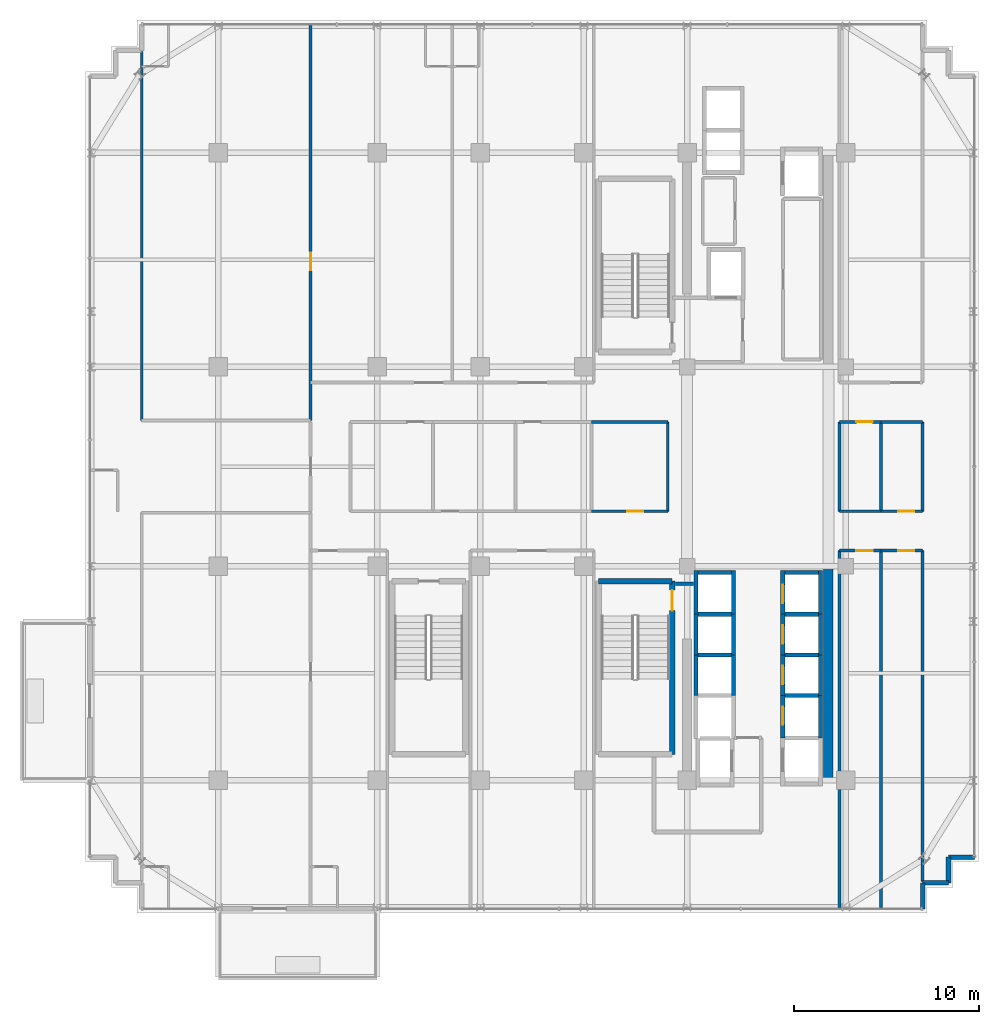
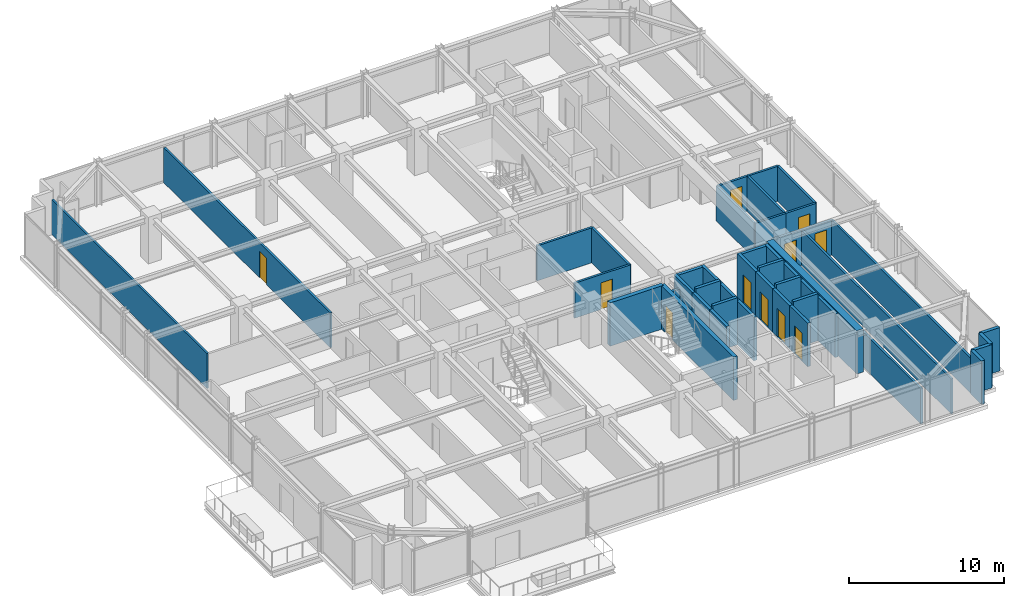
# One storey, part 30 of 35: 46 walls, 11 doors, 11 openings.
"""IFC4 building model written with IfcOpenShell, lengths in metres."""

from ifc_helpers import new_model, si_unit, direction, frame, frame_2d, origin, place, context, subcontext, project, spatial, rectangle, extrude, source, transform, mapped, material, layer, layer_set, type_object, element, fill, save


model = new_model("IFC4")

# Units and contexts
model_context = context("Model", 3, precision=1e-05, world=origin(), true_north=direction((0.0, 1.0)))
body_context = subcontext(model_context, "Body", "Model", "MODEL_VIEW")
ifc_project = project(units=[si_unit("LENGTHUNIT", "METRE"), si_unit("AREAUNIT", "SQUARE_METRE"), si_unit("VOLUMEUNIT", "CUBIC_METRE"), si_unit("PLANEANGLEUNIT", "RADIAN"), si_unit("MASSUNIT", "GRAM", prefix="KILO")], contexts=[model_context])

# Site, building, storey
site_placement = place(None, origin())
site = spatial("IfcSite", under=ifc_project, at=site_placement, CompositionType="ELEMENT")
building_placement = place(site_placement, origin())
building = spatial("IfcBuilding", under=site, at=building_placement, Name="Nahalor Promenade Grand Hotel", CompositionType="ELEMENT")
storey_placement = place(building_placement, frame((0.0, 0.0, 216.0)))
storey = spatial("IfcBuildingStorey", under=building, at=storey_placement, Name="L55", CompositionType="ELEMENT", Elevation=216.0)

# Walls
ifc_material_1 = material(Name="Concrete B-60 (C50/60)", Category="concrete")
ifc_layer_1 = layer(ifc_material_1, 0.5)
ifc_layer_set_1 = layer_set([ifc_layer_1], Name="Concrete B-60 (C50/60)")
wall_type_1 = type_object("IfcWallType", Name="Wall-CoreShear-500", PredefinedType="SHEAR", material=ifc_layer_set_1)
shared_shape_1 = source(origin(), body_context, "Body", "SweptSolid", [
    extrude(rectangle(XDim=11.60009765625, YDim=0.5, at=frame_2d((5.800048828125, 0.0))), origin(), (0.0, 0.0, 1.0), 3.409912109375),
])
wall_1_placement = place(storey_placement, frame((16.050048828125, -17.0, 0.0), z_axis=(0.0, 0.0, 1.0), x_axis=(0.0, 1.0, 0.0)))
element("IfcWall", 1, at=wall_1_placement, inside=storey, type_object=wall_type_1, Name="CWALL-L55-SE", PredefinedType="SHEAR", context=body_context, shape_type="MappedRepresentation", body=[
    mapped(shared_shape_1, transform((0.0, 0.0, 0.0), scale=1.0)),
])
ifc_material_2 = material(Name="Concrete B-50 (C40/50)", Category="concrete")
ifc_layer_2 = layer(ifc_material_2, 0.300048828125)
ifc_layer_set_2 = layer_set([ifc_layer_2], Name="Concrete B-50 (C40/50)")
wall_type_2 = type_object("IfcWallType", Name="Wall-ShaftShear-300", PredefinedType="SHEAR", material=ifc_layer_set_2)
shared_shape_2 = source(origin(), body_context, "Body", "SweptSolid", [
    extrude(rectangle(XDim=3.97998046875, YDim=0.300048828125, at=frame_2d((1.989990234375, 0.0))), origin(), (0.0, 0.0, 1.0), 3.409912109375),
])
wall_2_placement = place(storey_placement, frame((3.610107421875, -6.2099609375, 0.0), z_axis=(0.0, 0.0, 1.0), x_axis=(1.0, 0.0, 0.0)))
element("IfcWall", 2, at=wall_2_placement, inside=storey, type_object=wall_type_2, Name="L55 Exit Stair ST2 Shaft Wall N", PredefinedType="SHEAR", context=body_context, shape_type="MappedRepresentation", body=[
    mapped(shared_shape_2, transform((0.0, 0.0, 0.0), scale=1.0)),
])

# Wall, opening, door
shared_shape_3 = source(origin(), body_context, "Body", "SweptSolid", [
    extrude(rectangle(XDim=9.380126953125, YDim=0.300048828125, at=frame_2d((4.68994140625, 0.0))), origin(), (0.0, 0.0, 1.0), 3.409912109375),
])
wall_3_placement = place(storey_placement, frame((7.590087890625, -15.590087890625, 0.0), z_axis=(0.0, 0.0, 1.0), x_axis=(0.0, 1.0, 0.0)))
wall_3 = element("IfcWall", 3, at=wall_3_placement, inside=storey, type_object=wall_type_2, Name="L55 Exit Stair ST2 Shaft Wall E", PredefinedType="SHEAR", context=body_context, shape_type="MappedRepresentation", body=[
    mapped(shared_shape_3, transform((0.0, 0.0, 0.0), scale=1.0)),
])
opening_1_placement = place(wall_3_placement, frame((7.7900390625, 0.0, 0.0)))
opening_1 = element("IfcOpeningElement", 4, at=opening_1_placement, cuts=wall_3, Name="Opening D-ST1", PredefinedType="OPENING", context=body_context, shape_type="SweptSolid", body=[
    extrude(rectangle(XDim=1.10009765625, YDim=2.14990234375, at=frame_2d((0.550048828125, 1.074951171875))), frame((0.0, 0.159912109375, 0.0), z_axis=(0.0, -1.0, 0.0), x_axis=(1.0, 0.0, 0.0)), (0.0, 0.0, 1.0), 0.320068359375),
])
ifc_material_3 = material(Name="Steel S355JR", Category="steel")
door_type_1 = type_object("IfcDoorType", Name="Door-StairFire-1100", OperationType="NOTDEFINED", PredefinedType="DOOR", material=ifc_material_3)
shared_shape_4 = source(origin(), body_context, "Body", "SweptSolid", [
    extrude(rectangle(XDim=1.10009765625, YDim=2.14990234375, at=frame_2d((0.550048828125, 1.074951171875))), frame((0.0, 0.02490234375, 0.0), z_axis=(0.0, -1.0, 0.0), x_axis=(1.0, 0.0, 0.0)), (0.0, 0.0, 1.0), 0.050048828125),
])
door_1_placement = place(opening_1_placement, origin())
door_1 = element("IfcDoor", 5, at=door_1_placement, inside=storey, type_object=door_type_1, Name="DR-STAIR-ST2-L55", OperationType="SINGLE_SWING_RIGHT", OverallHeight=2.14990234375, OverallWidth=1.10009765625, PredefinedType="DOOR", context=body_context, shape_type="MappedRepresentation", body=[
    mapped(shared_shape_4, transform((0.0, 0.0, 0.0), scale=1.0)),
])
fill(opening_1, door_1)

ifc_layer_3 = layer(ifc_material_2, 0.219970703125)
ifc_layer_set_3 = layer_set([ifc_layer_3], Name="Concrete B-50 (C40/50)")
wall_type_3 = type_object("IfcWallType", Name="Wall-LiftShaft-220", PredefinedType="SHEAR", material=ifc_layer_set_3)
shared_shape_5 = source(origin(), body_context, "Body", "SweptSolid", [
    extrude(rectangle(XDim=2.360107421875, YDim=0.219970703125, at=frame_2d((1.18017578125, 0.0))), origin(), (0.0, 0.0, 1.0), 3.409912109375),
])
wall_4_placement = place(storey_placement, frame((13.580078125, -8.0, 0.0), z_axis=(0.0, 0.0, 1.0), x_axis=(0.0, 1.0, 0.0)))
wall_4 = element("IfcWall", 6, at=wall_4_placement, inside=storey, type_object=wall_type_3, Name="L55 Lift PL5 Hoistway Wall W", PredefinedType="SHEAR", context=body_context, shape_type="MappedRepresentation", body=[
    mapped(shared_shape_5, transform((0.0, 0.0, 0.0), scale=1.0)),
])
opening_2_placement = place(wall_4_placement, frame((0.60009765625, 0.0, 0.0)))
opening_2 = element("IfcOpeningElement", 7, at=opening_2_placement, cuts=wall_4, Name="Opening LD-01", PredefinedType="OPENING", context=body_context, shape_type="SweptSolid", body=[
    extrude(rectangle(XDim=1.0, YDim=2.199951171875, at=frame_2d((0.5, 1.10009765625))), frame((0.0, 0.119873046875, 0.0), z_axis=(0.0, -1.0, 0.0), x_axis=(1.0, 0.0, 0.0)), (0.0, 0.0, 1.0), 0.239990234375),
])
door_type_2 = type_object("IfcDoorType", Name="Door-LiftLanding-1000", OperationType="DOUBLE_DOOR_SLIDING", PredefinedType="DOOR", material=ifc_material_3)
shared_shape_6 = source(origin(), body_context, "Body", "SweptSolid", [
    extrude(rectangle(XDim=1.0, YDim=2.199951171875, at=frame_2d((0.5, 1.10009765625))), frame((0.0, 0.02490234375, 0.0), z_axis=(0.0, -1.0, 0.0), x_axis=(1.0, 0.0, 0.0)), (0.0, 0.0, 1.0), 0.050048828125),
])
door_2_placement = place(opening_2_placement, origin())
door_2 = element("IfcDoor", 8, at=door_2_placement, inside=storey, type_object=door_type_2, Name="DR-LIFT-PL5-L55", OperationType="DOUBLE_DOOR_SLIDING", OverallHeight=2.199951171875, OverallWidth=1.0, PredefinedType="DOOR", context=body_context, shape_type="MappedRepresentation", body=[
    mapped(shared_shape_6, transform((0.0, 0.0, 0.0), scale=1.0)),
])
fill(opening_2, door_2)

# Walls
for number, where, z_axis, x_axis, name in (
    (9, (15.6201171875, -8.0, 0.0), (0.0, 0.0, 1.0), (0.0, 1.0, 0.0), "L55 Lift PL5 Hoistway Wall E"),
    (10, (8.8798828125, -8.0, 0.0), (0.0, 0.0, 1.0), (0.0, 1.0, 0.0), "L55 Lift PL9 Hoistway Wall W"),
    (11, (10.919921875, -8.0, 0.0), (0.0, 0.0, 1.0), (0.0, 1.0, 0.0), "L55 Lift PL9 Hoistway Wall E"),
):
    element("IfcWall", number, at=place(storey_placement, frame(where, z_axis=z_axis, x_axis=x_axis)), inside=storey, type_object=wall_type_3, Name=name, PredefinedType="SHEAR", context=body_context, shape_type="MappedRepresentation", body=[
        mapped(shared_shape_5, transform((0.0, 0.0, 0.0), scale=1.0)),
    ])
shared_shape_7 = source(origin(), body_context, "Body", "SweptSolid", [
    extrude(rectangle(XDim=1.820068359375, YDim=0.219970703125, at=frame_2d((0.91015625, 0.0))), origin(), (0.0, 0.0, 1.0), 3.409912109375),
])
for number, where, z_axis, x_axis, name in (
    (12, (13.68994140625, -5.75, 0.0), (0.0, 0.0, 1.0), (1.0, 0.0, 0.0), "L55 Lift PL5 Hoistway Wall N"),
    (13, (8.989990234375, -5.75, 0.0), (0.0, 0.0, 1.0), (1.0, 0.0, 0.0), "L55 Lift PL9 Hoistway Wall N"),
):
    element("IfcWall", number, at=place(storey_placement, frame(where, z_axis=z_axis, x_axis=x_axis)), inside=storey, type_object=wall_type_3, Name=name, PredefinedType="SHEAR", context=body_context, shape_type="MappedRepresentation", body=[
        mapped(shared_shape_7, transform((0.0, 0.0, 0.0), scale=1.0)),
    ])

# Wall, opening, door
shared_shape_8 = source(origin(), body_context, "Body", "SweptSolid", [
    extrude(rectangle(XDim=2.199951171875, YDim=0.219970703125, at=frame_2d((1.10009765625, 0.0))), origin(), (0.0, 0.0, 1.0), 3.409912109375),
])
wall_5_placement = place(storey_placement, frame((13.580078125, -10.199951171875, 0.0), z_axis=(0.0, 0.0, 1.0), x_axis=(0.0, 1.0, 0.0)))
wall_5 = element("IfcWall", 14, at=wall_5_placement, inside=storey, type_object=wall_type_3, Name="L55 Lift PL6 Hoistway Wall W", PredefinedType="SHEAR", context=body_context, shape_type="MappedRepresentation", body=[
    mapped(shared_shape_8, transform((0.0, 0.0, 0.0), scale=1.0)),
])
opening_3_placement = place(wall_5_placement, frame((0.60009765625, 0.0, 0.0)))
opening_3 = element("IfcOpeningElement", 15, at=opening_3_placement, cuts=wall_5, Name="Opening LD-01", PredefinedType="OPENING", context=body_context, shape_type="SweptSolid", body=[
    extrude(rectangle(XDim=1.0, YDim=2.199951171875, at=frame_2d((0.5, 1.10009765625))), frame((0.0, 0.119873046875, 0.0), z_axis=(0.0, -1.0, 0.0), x_axis=(1.0, 0.0, 0.0)), (0.0, 0.0, 1.0), 0.239990234375),
])
door_3_placement = place(opening_3_placement, origin())
door_3 = element("IfcDoor", 16, at=door_3_placement, inside=storey, type_object=door_type_2, Name="DR-LIFT-PL6-L55", OperationType="DOUBLE_DOOR_SLIDING", OverallHeight=2.199951171875, OverallWidth=1.0, PredefinedType="DOOR", context=body_context, shape_type="MappedRepresentation", body=[
    mapped(shared_shape_6, transform((0.0, 0.0, 0.0), scale=1.0)),
])
fill(opening_3, door_3)

# Wall
wall_6_placement = place(storey_placement, frame((15.6201171875, -10.199951171875, 0.0), z_axis=(0.0, 0.0, 1.0), x_axis=(0.0, 1.0, 0.0)))
element("IfcWall", 17, at=wall_6_placement, inside=storey, type_object=wall_type_3, Name="L55 Lift PL6 Hoistway Wall E", PredefinedType="SHEAR", context=body_context, shape_type="MappedRepresentation", body=[
    mapped(shared_shape_8, transform((0.0, 0.0, 0.0), scale=1.0)),
])

# Wall, opening, door
wall_7_placement = place(storey_placement, frame((13.580078125, -12.39990234375, 0.0), z_axis=(0.0, 0.0, 1.0), x_axis=(0.0, 1.0, 0.0)))
wall_7 = element("IfcWall", 18, at=wall_7_placement, inside=storey, type_object=wall_type_3, Name="L55 Lift PL7 Hoistway Wall W", PredefinedType="SHEAR", context=body_context, shape_type="MappedRepresentation", body=[
    mapped(shared_shape_8, transform((0.0, 0.0, 0.0), scale=1.0)),
])
opening_4_placement = place(wall_7_placement, frame((0.60009765625, 0.0, 0.0)))
opening_4 = element("IfcOpeningElement", 19, at=opening_4_placement, cuts=wall_7, Name="Opening LD-01", PredefinedType="OPENING", context=body_context, shape_type="SweptSolid", body=[
    extrude(rectangle(XDim=1.0, YDim=2.199951171875, at=frame_2d((0.5, 1.10009765625))), frame((0.0, 0.119873046875, 0.0), z_axis=(0.0, -1.0, 0.0), x_axis=(1.0, 0.0, 0.0)), (0.0, 0.0, 1.0), 0.239990234375),
])
door_4_placement = place(opening_4_placement, origin())
door_4 = element("IfcDoor", 20, at=door_4_placement, inside=storey, type_object=door_type_2, Name="DR-LIFT-PL7-L55", OperationType="DOUBLE_DOOR_SLIDING", OverallHeight=2.199951171875, OverallWidth=1.0, PredefinedType="DOOR", context=body_context, shape_type="MappedRepresentation", body=[
    mapped(shared_shape_6, transform((0.0, 0.0, 0.0), scale=1.0)),
])
fill(opening_4, door_4)

# Walls
for number, where, z_axis, x_axis, name in (
    (21, (15.6201171875, -12.39990234375, 0.0), (0.0, 0.0, 1.0), (0.0, 1.0, 0.0), "L55 Lift PL7 Hoistway Wall E"),
    (22, (8.8798828125, -10.199951171875, 0.0), (0.0, 0.0, 1.0), (0.0, 1.0, 0.0), "L55 Lift PL10 Hoistway Wall W"),
    (23, (10.919921875, -10.199951171875, 0.0), (0.0, 0.0, 1.0), (0.0, 1.0, 0.0), "L55 Lift PL10 Hoistway Wall E"),
    (24, (8.8798828125, -12.39990234375, 0.0), (0.0, 0.0, 1.0), (0.0, 1.0, 0.0), "L55 Lift PL11 Hoistway Wall W"),
    (25, (10.919921875, -12.39990234375, 0.0), (0.0, 0.0, 1.0), (0.0, 1.0, 0.0), "L55 Lift PL11 Hoistway Wall E"),
):
    element("IfcWall", number, at=place(storey_placement, frame(where, z_axis=z_axis, x_axis=x_axis)), inside=storey, type_object=wall_type_3, Name=name, PredefinedType="SHEAR", context=body_context, shape_type="MappedRepresentation", body=[
        mapped(shared_shape_8, transform((0.0, 0.0, 0.0), scale=1.0)),
    ])
shared_shape_9 = source(origin(), body_context, "Body", "SweptSolid", [
    extrude(rectangle(XDim=1.820068359375, YDim=0.219970703125, at=frame_2d((0.91015625, 0.0))), origin(), (0.0, 0.0, 1.0), 3.699951171875),
])
for number, where, z_axis, x_axis, name in (
    (26, (13.68994140625, -8.0, 0.0), (0.0, 0.0, 1.0), (1.0, 0.0, 0.0), "L55 Lift PL6 Hoistway Wall N"),
    (27, (13.68994140625, -10.199951171875, 0.0), (0.0, 0.0, 1.0), (1.0, 0.0, 0.0), "L55 Lift PL7 Hoistway Wall N"),
    (28, (13.68994140625, -12.39990234375, 0.0), (0.0, 0.0, 1.0), (1.0, 0.0, 0.0), "L55 Lift PL8 Hoistway Wall N"),
    (29, (8.989990234375, -8.0, 0.0), (0.0, 0.0, 1.0), (1.0, 0.0, 0.0), "L55 Lift PL10 Hoistway Wall N"),
    (30, (8.989990234375, -10.199951171875, 0.0), (0.0, 0.0, 1.0), (1.0, 0.0, 0.0), "L55 Lift PL11 Hoistway Wall N"),
):
    element("IfcWall", number, at=place(storey_placement, frame(where, z_axis=z_axis, x_axis=x_axis)), inside=storey, type_object=wall_type_3, Name=name, PredefinedType="SHEAR", context=body_context, shape_type="MappedRepresentation", body=[
        mapped(shared_shape_9, transform((0.0, 0.0, 0.0), scale=1.0)),
    ])

# Wall, opening, door
shared_shape_10 = source(origin(), body_context, "Body", "SweptSolid", [
    extrude(rectangle(XDim=2.300048828125, YDim=0.219970703125, at=frame_2d((1.14990234375, 0.0))), origin(), (0.0, 0.0, 1.0), 3.409912109375),
])
wall_8_placement = place(storey_placement, frame((13.580078125, -14.699951171875, 0.0), z_axis=(0.0, 0.0, 1.0), x_axis=(0.0, 1.0, 0.0)))
wall_8 = element("IfcWall", 31, at=wall_8_placement, inside=storey, type_object=wall_type_3, Name="L55 Lift PL8 Hoistway Wall W", PredefinedType="SHEAR", context=body_context, shape_type="MappedRepresentation", body=[
    mapped(shared_shape_10, transform((0.0, 0.0, 0.0), scale=1.0)),
])
opening_5_placement = place(wall_8_placement, frame((0.699951171875, 0.0, 0.0)))
opening_5 = element("IfcOpeningElement", 32, at=opening_5_placement, cuts=wall_8, Name="Opening LD-01", PredefinedType="OPENING", context=body_context, shape_type="SweptSolid", body=[
    extrude(rectangle(XDim=1.0, YDim=2.199951171875, at=frame_2d((0.5, 1.10009765625))), frame((0.0, 0.119873046875, 0.0), z_axis=(0.0, -1.0, 0.0), x_axis=(1.0, 0.0, 0.0)), (0.0, 0.0, 1.0), 0.239990234375),
])
door_5_placement = place(opening_5_placement, origin())
door_5 = element("IfcDoor", 33, at=door_5_placement, inside=storey, type_object=door_type_2, Name="DR-LIFT-PL8-L55", OperationType="DOUBLE_DOOR_SLIDING", OverallHeight=2.199951171875, OverallWidth=1.0, PredefinedType="DOOR", context=body_context, shape_type="MappedRepresentation", body=[
    mapped(shared_shape_6, transform((0.0, 0.0, 0.0), scale=1.0)),
])
fill(opening_5, door_5)

# Walls
wall_9_placement = place(storey_placement, frame((15.6201171875, -14.699951171875, 0.0), z_axis=(0.0, 0.0, 1.0), x_axis=(0.0, 1.0, 0.0)))
element("IfcWall", 34, at=wall_9_placement, inside=storey, type_object=wall_type_3, Name="L55 Lift PL8 Hoistway Wall E", PredefinedType="SHEAR", context=body_context, shape_type="MappedRepresentation", body=[
    mapped(shared_shape_10, transform((0.0, 0.0, 0.0), scale=1.0)),
])
ifc_material_4 = material(Name="Concrete B-40 (C32/40)", Category="concrete")
ifc_layer_4 = layer(ifc_material_4, 0.25)
ifc_layer_set_4 = layer_set([ifc_layer_4], Name="Concrete B-40 (C32/40)")
wall_type_4 = type_object("IfcWallType", Name="Wall-BronzePier-250", PredefinedType="STANDARD", material=ifc_layer_set_4)
shared_shape_11 = source(origin(), body_context, "Body", "SweptSolid", [
    extrude(rectangle(XDim=1.39990234375, YDim=0.25, at=frame_2d((0.699951171875, 0.0))), origin(), (0.0, 0.0, 1.0), 3.409912109375),
])
for number, where, z_axis, x_axis, name in (
    (35, (21.159912109375, -23.9599609375, 0.0), (0.0, 0.0, 1.0), (0.0, 1.0, 0.0), "W-L55-SR-01"),
    (36, (22.56005859375, -21.159912109375, 0.0), (0.0, 0.0, 1.0), (1.0, 0.0, 0.0), "W-L55-SR-04"),
):
    element("IfcWall", number, at=place(storey_placement, frame(where, z_axis=z_axis, x_axis=x_axis)), inside=storey, type_object=wall_type_4, Name=name, PredefinedType="STANDARD", context=body_context, shape_type="MappedRepresentation", body=[
        mapped(shared_shape_11, transform((0.0, 0.0, 0.0), scale=1.0)),
    ])
shared_shape_12 = source(origin(), body_context, "Body", "SweptSolid", [
    extrude(rectangle(XDim=1.400146484375, YDim=0.25, at=frame_2d((0.7001953125, 0.0))), origin(), (0.0, 0.0, 1.0), 3.409912109375),
])
for number, where, z_axis, x_axis, name in (
    (37, (21.159912109375, -22.56005859375, 0.0), (0.0, 0.0, 1.0), (1.0, 0.0, 0.0), "W-L55-SR-02"),
    (38, (22.56005859375, -22.56005859375, 0.0), (0.0, 0.0, 1.0), (0.0, 1.0, 0.0), "W-L55-SR-03"),
):
    element("IfcWall", number, at=place(storey_placement, frame(where, z_axis=z_axis, x_axis=x_axis)), inside=storey, type_object=wall_type_4, Name=name, PredefinedType="STANDARD", context=body_context, shape_type="MappedRepresentation", body=[
        mapped(shared_shape_12, transform((0.0, 0.0, 0.0), scale=1.0)),
    ])
ifc_layer_5 = layer(ifc_material_4, 0.199951171875)
ifc_layer_set_5 = layer_set([ifc_layer_5], Name="Concrete B-40 (C32/40)")
wall_type_5 = type_object("IfcWallType", Name="Wall-PartFire-200", PredefinedType="PARTITIONING", material=ifc_layer_set_5)
shared_shape_13 = source(origin(), body_context, "Body", "SweptSolid", [
    extrude(rectangle(XDim=0.969970703125, YDim=0.199951171875, at=frame_2d((0.48486328125, 0.0))), origin(), (0.0, 0.0, 1.0), 2.75),
])
wall_10_placement = place(storey_placement, frame((7.77001953125, -6.35009765625, 0.0), z_axis=(0.0, 0.0, 1.0), x_axis=(1.0, 0.0, 0.0)))
element("IfcWall", 39, at=wall_10_placement, inside=storey, type_object=wall_type_5, Name="W-L55-FF2-N2", PredefinedType="PARTITIONING", context=body_context, shape_type="MappedRepresentation", body=[
    mapped(shared_shape_13, transform((0.0, 0.0, 0.0), scale=1.0)),
])

# Wall, opening, door
ifc_material_5 = material(Name="Acoustic Mineral Gypsum", Category="gypsum")
ifc_layer_6 = layer(ifc_material_5, 0.159912109375)
ifc_layer_set_6 = layer_set([ifc_layer_6], Name="Acoustic Mineral Gypsum")
wall_type_6 = type_object("IfcWallType", Name="Wall-PartCorridor-160", PredefinedType="PARTITIONING", material=ifc_layer_set_6)
shared_shape_14 = source(origin(), body_context, "Body", "SweptSolid", [
    extrude(rectangle(XDim=2.255126953125, YDim=0.159912109375, at=frame_2d((1.12744140625, 0.0))), origin(), (0.0, 0.0, 1.0), 2.75),
])
wall_11_placement = place(storey_placement, frame((16.64990234375, -4.550048828125, 0.0), z_axis=(0.0, 0.0, 1.0), x_axis=(1.0, 0.0, 0.0)))
wall_11 = element("IfcWall", 40, at=wall_11_placement, inside=storey, type_object=wall_type_6, Name="W-L55-ESE1-N", PredefinedType="PARTITIONING", context=body_context, shape_type="MappedRepresentation", body=[
    mapped(shared_shape_14, transform((0.0, 0.0, 0.0), scale=1.0)),
])
opening_6_placement = place(wall_11_placement, frame((0.924072265625, 0.0, 0.0)))
opening_6 = element("IfcOpeningElement", 41, at=opening_6_placement, cuts=wall_11, Name="Opening D-03", PredefinedType="OPENING", context=body_context, shape_type="SweptSolid", body=[
    extrude(rectangle(XDim=0.8798828125, YDim=2.10009765625, at=frame_2d((0.43994140625, 1.050048828125))), frame((0.0, 0.08984375, 0.0), z_axis=(0.0, -1.0, 0.0), x_axis=(1.0, 0.0, 0.0)), (0.0, 0.0, 1.0), 0.179931640625),
])
ifc_material_6 = material(Name="Fire-Rated Timber Composite", Category="wood")
door_type_3 = type_object("IfcDoorType", Name="Door-BathSwing-880", OperationType="NOTDEFINED", PredefinedType="DOOR", material=ifc_material_6)
shared_shape_15 = source(origin(), body_context, "Body", "SweptSolid", [
    extrude(rectangle(XDim=0.8798828125, YDim=2.10009765625, at=frame_2d((0.43994140625, 1.050048828125))), frame((0.0, 0.02490234375, 0.0), z_axis=(0.0, -1.0, 0.0), x_axis=(1.0, 0.0, 0.0)), (0.0, 0.0, 1.0), 0.050048828125),
])
door_6_placement = place(opening_6_placement, frame((0.8798828125, 0.0, 0.0), z_axis=(0.0, 0.0, 1.0), x_axis=(-1.0, 0.0, 0.0)))
door_6 = element("IfcDoor", 42, at=door_6_placement, inside=storey, type_object=door_type_3, Name="DR-L55-ESE1", OperationType="SINGLE_SWING_LEFT", OverallHeight=2.10009765625, OverallWidth=0.8798828125, PredefinedType="DOOR", context=body_context, shape_type="MappedRepresentation", body=[
    mapped(shared_shape_15, transform((0.0, 0.0, 0.0), scale=1.0)),
])
fill(opening_6, door_6)

# Wall
wall_12_placement = place(storey_placement, frame((16.64990234375, -2.419921875, 0.0), z_axis=(0.0, 0.0, 1.0), x_axis=(1.0, 0.0, 0.0)))
element("IfcWall", 43, at=wall_12_placement, inside=storey, type_object=wall_type_6, Name="W-L55-ECW1-S", PredefinedType="PARTITIONING", context=body_context, shape_type="MappedRepresentation", body=[
    mapped(shared_shape_14, transform((0.0, 0.0, 0.0), scale=1.0)),
])

# Wall, opening, door
wall_13_placement = place(storey_placement, frame((16.64990234375, 2.419921875, 0.0), z_axis=(0.0, 0.0, 1.0), x_axis=(1.0, 0.0, 0.0)))
wall_13 = element("IfcWall", 44, at=wall_13_placement, inside=storey, type_object=wall_type_6, Name="W-L55-ECW1-N", PredefinedType="PARTITIONING", context=body_context, shape_type="MappedRepresentation", body=[
    mapped(shared_shape_14, transform((0.0, 0.0, 0.0), scale=1.0)),
])
opening_7_placement = place(wall_13_placement, frame((0.924072265625, 0.0, 0.0)))
opening_7 = element("IfcOpeningElement", 45, at=opening_7_placement, cuts=wall_13, Name="Opening D-03", PredefinedType="OPENING", context=body_context, shape_type="SweptSolid", body=[
    extrude(rectangle(XDim=0.8798828125, YDim=2.10009765625, at=frame_2d((0.43994140625, 1.050048828125))), frame((0.0, 0.08984375, 0.0), z_axis=(0.0, -1.0, 0.0), x_axis=(1.0, 0.0, 0.0)), (0.0, 0.0, 1.0), 0.179931640625),
])
door_7_placement = place(opening_7_placement, frame((0.8798828125, 0.0, 0.0), z_axis=(0.0, 0.0, 1.0), x_axis=(-1.0, 0.0, 0.0)))
door_7 = element("IfcDoor", 46, at=door_7_placement, inside=storey, type_object=door_type_3, Name="DR-L55-ECW1", OperationType="SINGLE_SWING_LEFT", OverallHeight=2.10009765625, OverallWidth=0.8798828125, PredefinedType="DOOR", context=body_context, shape_type="MappedRepresentation", body=[
    mapped(shared_shape_15, transform((0.0, 0.0, 0.0), scale=1.0)),
])
fill(opening_7, door_7)

# Walls
shared_shape_16 = source(origin(), body_context, "Body", "SweptSolid", [
    extrude(rectangle(XDim=19.349853515625, YDim=0.159912109375, at=frame_2d((9.6748046875, 0.0))), origin(), (0.0, 0.0, 1.0), 2.75),
])
for number, where, z_axis, x_axis, name in (
    (47, (16.64990234375, -23.89990234375, 0.0), (0.0, 0.0, 1.0), (0.0, 1.0, 0.0), "W-L55-ESE1-W"),
    (48, (18.905029296875, -23.89990234375, 0.0), (0.0, 0.0, 1.0), (0.0, 1.0, 0.0), "W-L55-ESE1-E"),
):
    element("IfcWall", number, at=place(storey_placement, frame(where, z_axis=z_axis, x_axis=x_axis)), inside=storey, type_object=wall_type_6, Name=name, PredefinedType="PARTITIONING", context=body_context, shape_type="MappedRepresentation", body=[
        mapped(shared_shape_16, transform((0.0, 0.0, 0.0), scale=1.0)),
    ])

# Wall, opening, door
shared_shape_17 = source(origin(), body_context, "Body", "SweptSolid", [
    extrude(rectangle(XDim=2.2548828125, YDim=0.159912109375, at=frame_2d((1.12744140625, 0.0))), origin(), (0.0, 0.0, 1.0), 2.75),
])
wall_14_placement = place(storey_placement, frame((18.905029296875, -4.550048828125, 0.0), z_axis=(0.0, 0.0, 1.0), x_axis=(1.0, 0.0, 0.0)))
wall_14 = element("IfcWall", 49, at=wall_14_placement, inside=storey, type_object=wall_type_6, Name="W-L55-ESE2-N", PredefinedType="PARTITIONING", context=body_context, shape_type="MappedRepresentation", body=[
    mapped(shared_shape_17, transform((0.0, 0.0, 0.0), scale=1.0)),
])
opening_8_placement = place(wall_14_placement, frame((0.924072265625, 0.0, 0.0)))
opening_8 = element("IfcOpeningElement", 50, at=opening_8_placement, cuts=wall_14, Name="Opening D-03", PredefinedType="OPENING", context=body_context, shape_type="SweptSolid", body=[
    extrude(rectangle(XDim=0.8798828125, YDim=2.10009765625, at=frame_2d((0.43994140625, 1.050048828125))), frame((0.0, 0.08984375, 0.0), z_axis=(0.0, -1.0, 0.0), x_axis=(1.0, 0.0, 0.0)), (0.0, 0.0, 1.0), 0.179931640625),
])
door_8_placement = place(opening_8_placement, frame((0.8798828125, 0.0, 0.0), z_axis=(0.0, 0.0, 1.0), x_axis=(-1.0, 0.0, 0.0)))
door_8 = element("IfcDoor", 51, at=door_8_placement, inside=storey, type_object=door_type_3, Name="DR-L55-ESE2", OperationType="SINGLE_SWING_RIGHT", OverallHeight=2.10009765625, OverallWidth=0.8798828125, PredefinedType="DOOR", context=body_context, shape_type="MappedRepresentation", body=[
    mapped(shared_shape_15, transform((0.0, 0.0, 0.0), scale=1.0)),
])
fill(opening_8, door_8)

wall_15_placement = place(storey_placement, frame((18.905029296875, -2.419921875, 0.0), z_axis=(0.0, 0.0, 1.0), x_axis=(1.0, 0.0, 0.0)))
wall_15 = element("IfcWall", 52, at=wall_15_placement, inside=storey, type_object=wall_type_6, Name="W-L55-ECW2-S", PredefinedType="PARTITIONING", context=body_context, shape_type="MappedRepresentation", body=[
    mapped(shared_shape_17, transform((0.0, 0.0, 0.0), scale=1.0)),
])
opening_9_placement = place(wall_15_placement, frame((0.924072265625, 0.0, 0.0)))
opening_9 = element("IfcOpeningElement", 53, at=opening_9_placement, cuts=wall_15, Name="Opening D-03", PredefinedType="OPENING", context=body_context, shape_type="SweptSolid", body=[
    extrude(rectangle(XDim=0.8798828125, YDim=2.10009765625, at=frame_2d((0.43994140625, 1.050048828125))), frame((0.0, 0.08984375, 0.0), z_axis=(0.0, -1.0, 0.0), x_axis=(1.0, 0.0, 0.0)), (0.0, 0.0, 1.0), 0.179931640625),
])
door_9_placement = place(opening_9_placement, origin())
door_9 = element("IfcDoor", 54, at=door_9_placement, inside=storey, type_object=door_type_3, Name="DR-L55-ECW2", OperationType="SINGLE_SWING_RIGHT", OverallHeight=2.10009765625, OverallWidth=0.8798828125, PredefinedType="DOOR", context=body_context, shape_type="MappedRepresentation", body=[
    mapped(shared_shape_15, transform((0.0, 0.0, 0.0), scale=1.0)),
])
fill(opening_9, door_9)

# Walls
wall_16_placement = place(storey_placement, frame((18.905029296875, 2.419921875, 0.0), z_axis=(0.0, 0.0, 1.0), x_axis=(1.0, 0.0, 0.0)))
element("IfcWall", 55, at=wall_16_placement, inside=storey, type_object=wall_type_6, Name="W-L55-ECW2-N", PredefinedType="PARTITIONING", context=body_context, shape_type="MappedRepresentation", body=[
    mapped(shared_shape_17, transform((0.0, 0.0, 0.0), scale=1.0)),
])
shared_shape_18 = source(origin(), body_context, "Body", "SweptSolid", [
    extrude(rectangle(XDim=17.929931640625, YDim=0.159912109375, at=frame_2d((8.96484375, 0.0))), origin(), (0.0, 0.0, 1.0), 2.75),
])
wall_17_placement = place(storey_placement, frame((21.159912109375, -22.47998046875, 0.0), z_axis=(0.0, 0.0, 1.0), x_axis=(0.0, 1.0, 0.0)))
element("IfcWall", 56, at=wall_17_placement, inside=storey, type_object=wall_type_6, Name="W-L55-ESE2-E", PredefinedType="PARTITIONING", context=body_context, shape_type="MappedRepresentation", body=[
    mapped(shared_shape_18, transform((0.0, 0.0, 0.0), scale=1.0)),
])

# Wall, opening, door
shared_shape_19 = source(origin(), body_context, "Body", "SweptSolid", [
    extrude(rectangle(XDim=21.39990234375, YDim=0.159912109375, at=frame_2d((10.699951171875, 0.0))), origin(), (0.0, 0.0, 1.0), 2.75),
])
wall_18_placement = place(storey_placement, frame((-12.0, 2.5, 0.0), z_axis=(0.0, 0.0, 1.0), x_axis=(0.0, 1.0, 0.0)))
wall_18 = element("IfcWall", 57, at=wall_18_placement, inside=storey, type_object=wall_type_6, Name="W-L55-ZNW-E", PredefinedType="PARTITIONING", context=body_context, shape_type="MappedRepresentation", body=[
    mapped(shared_shape_19, transform((0.0, 0.0, 0.0), scale=1.0)),
])
opening_10_placement = place(wall_18_placement, frame((8.14990234375, 0.0, 0.0)))
opening_10 = element("IfcOpeningElement", 58, at=opening_10_placement, cuts=wall_18, Name="Opening D-01", PredefinedType="OPENING", context=body_context, shape_type="SweptSolid", body=[
    extrude(rectangle(XDim=0.949951171875, YDim=2.10009765625, at=frame_2d((0.47509765625, 1.050048828125))), frame((0.0, 0.08984375, 0.0), z_axis=(0.0, -1.0, 0.0), x_axis=(1.0, 0.0, 0.0)), (0.0, 0.0, 1.0), 0.179931640625),
])
door_type_4 = type_object("IfcDoorType", Name="Door-GuestEntry-950", OperationType="NOTDEFINED", PredefinedType="DOOR", material=ifc_material_6)
shared_shape_20 = source(origin(), body_context, "Body", "SweptSolid", [
    extrude(rectangle(XDim=0.949951171875, YDim=2.10009765625, at=frame_2d((0.47509765625, 1.050048828125))), frame((0.0, 0.02490234375, 0.0), z_axis=(0.0, -1.0, 0.0), x_axis=(1.0, 0.0, 0.0)), (0.0, 0.0, 1.0), 0.050048828125),
])
door_10_placement = place(opening_10_placement, origin())
door_10 = element("IfcDoor", 59, at=door_10_placement, inside=storey, type_object=door_type_4, Name="DR-L55-NW0-ENT", OperationType="SINGLE_SWING_RIGHT", OverallHeight=2.10009765625, OverallWidth=0.949951171875, PredefinedType="DOOR", context=body_context, shape_type="MappedRepresentation", body=[
    mapped(shared_shape_20, transform((0.0, 0.0, 0.0), scale=1.0)),
])
fill(opening_10, door_10)

# Walls
ifc_layer_7 = layer(ifc_material_5, 0.139892578125)
ifc_layer_set_7 = layer_set([ifc_layer_7], Name="Acoustic Mineral Gypsum")
wall_type_7 = type_object("IfcWallType", Name="Wall-PartSuite-140", PredefinedType="PARTITIONING", material=ifc_layer_set_7)
shared_shape_21 = source(origin(), body_context, "Body", "SweptSolid", [
    extrude(rectangle(XDim=19.97998046875, YDim=0.139892578125, at=frame_2d((9.989990234375, 0.0))), origin(), (0.0, 0.0, 1.0), 2.75),
])
wall_19_placement = place(storey_placement, frame((-21.159912109375, 2.5, 0.0), z_axis=(0.0, 0.0, 1.0), x_axis=(0.0, 1.0, 0.0)))
element("IfcWall", 60, at=wall_19_placement, inside=storey, type_object=wall_type_7, Name="W-L55-ZNW-W", PredefinedType="PARTITIONING", context=body_context, shape_type="MappedRepresentation", body=[
    mapped(shared_shape_21, transform((0.0, 0.0, 0.0), scale=1.0)),
])
shared_shape_22 = source(origin(), body_context, "Body", "SweptSolid", [
    extrude(rectangle(XDim=4.83984375, YDim=0.159912109375, at=frame_2d((2.419921875, 0.0))), origin(), (0.0, 0.0, 1.0), 2.75),
])
for number, where, z_axis, x_axis, name in (
    (61, (7.35009765625, -2.419921875, 0.0), (0.0, 0.0, 1.0), (0.0, 1.0, 0.0), "W-L55-CM4-E"),
    (62, (16.64990234375, -2.419921875, 0.0), (0.0, 0.0, 1.0), (0.0, 1.0, 0.0), "W-L55-ECW1-W"),
    (63, (18.905029296875, -2.419921875, 0.0), (0.0, 0.0, 1.0), (0.0, 1.0, 0.0), "W-L55-ECW1-E"),
    (64, (21.159912109375, -2.419921875, 0.0), (0.0, 0.0, 1.0), (0.0, 1.0, 0.0), "W-L55-ECW2-E"),
):
    element("IfcWall", number, at=place(storey_placement, frame(where, z_axis=z_axis, x_axis=x_axis)), inside=storey, type_object=wall_type_6, Name=name, PredefinedType="PARTITIONING", context=body_context, shape_type="MappedRepresentation", body=[
        mapped(shared_shape_22, transform((0.0, 0.0, 0.0), scale=1.0)),
    ])

# Wall, opening, door
shared_shape_23 = source(origin(), body_context, "Body", "SweptSolid", [
    extrude(rectangle(XDim=4.128173828125, YDim=0.159912109375, at=frame_2d((2.06396484375, 0.0))), origin(), (0.0, 0.0, 1.0), 2.75),
])
wall_20_placement = place(storey_placement, frame((3.221923828125, -2.419921875, 0.0), z_axis=(0.0, 0.0, 1.0), x_axis=(1.0, 0.0, 0.0)))
wall_20 = element("IfcWall", 65, at=wall_20_placement, inside=storey, type_object=wall_type_6, Name="W-L55-CM4-S", PredefinedType="PARTITIONING", context=body_context, shape_type="MappedRepresentation", body=[
    mapped(shared_shape_23, transform((0.0, 0.0, 0.0), scale=1.0)),
])
opening_11_placement = place(wall_20_placement, frame((1.93310546875, 0.0, 0.0)))
opening_11 = element("IfcOpeningElement", 66, at=opening_11_placement, cuts=wall_20, Name="Opening D-03", PredefinedType="OPENING", context=body_context, shape_type="SweptSolid", body=[
    extrude(rectangle(XDim=0.8798828125, YDim=2.10009765625, at=frame_2d((0.43994140625, 1.050048828125))), frame((0.0, 0.08984375, 0.0), z_axis=(0.0, -1.0, 0.0), x_axis=(1.0, 0.0, 0.0)), (0.0, 0.0, 1.0), 0.179931640625),
])
door_11_placement = place(opening_11_placement, origin())
door_11 = element("IfcDoor", 67, at=door_11_placement, inside=storey, type_object=door_type_3, Name="DR-L55-CM4", OperationType="SINGLE_SWING_RIGHT", OverallHeight=2.10009765625, OverallWidth=0.8798828125, PredefinedType="DOOR", context=body_context, shape_type="MappedRepresentation", body=[
    mapped(shared_shape_15, transform((0.0, 0.0, 0.0), scale=1.0)),
])
fill(opening_11, door_11)

# Wall
wall_21_placement = place(storey_placement, frame((3.221923828125, 2.419921875, 0.0), z_axis=(0.0, 0.0, 1.0), x_axis=(1.0, 0.0, 0.0)))
element("IfcWall", 68, at=wall_21_placement, inside=storey, type_object=wall_type_6, Name="W-L55-CM4-N", PredefinedType="PARTITIONING", context=body_context, shape_type="MappedRepresentation", body=[
    mapped(shared_shape_23, transform((0.0, 0.0, 0.0), scale=1.0)),
])

save(model, "model.ifc")
